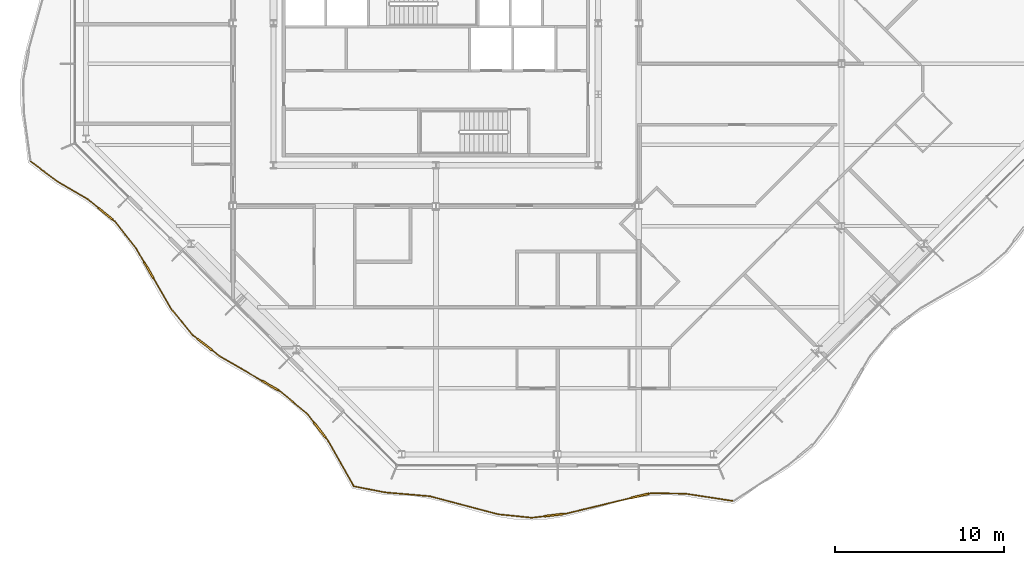
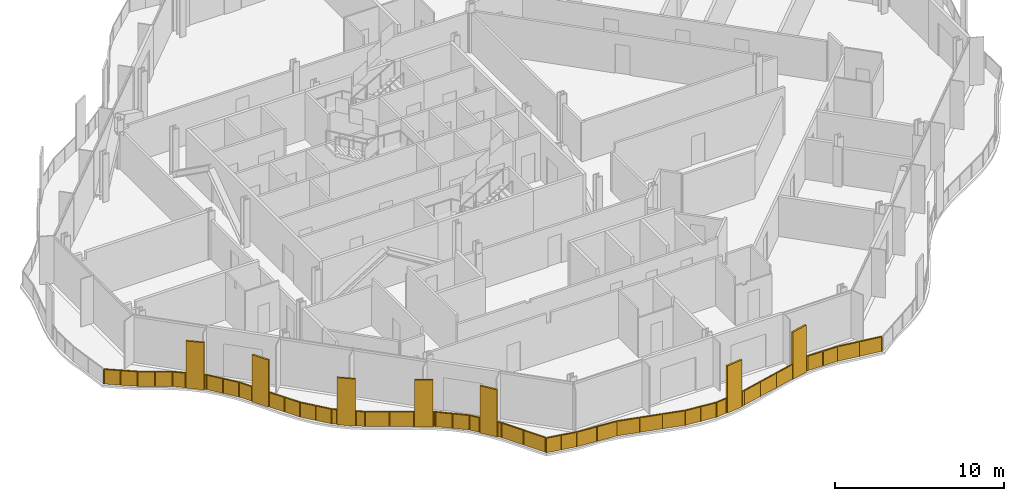
# One storey, part 13 of 17: 2 railings.
"""IFC4 building model written with IfcOpenShell, lengths in metres."""

import ifcopenshell
import ifcopenshell.guid

model = None  # the IFC model being written
_history = None  # IfcOwnerHistory: only IFC2X3 demands one
_inside = {}  # id of a spatial element -> (the spatial element, [elements in it])
_under = {}  # id of a project, library or spatial element -> (it, [spatial elements below it])
_declared = {}  # id of a project -> (the project, [libraries it declares])
_typed = {}  # id of a type object -> (the type object, [elements of that type])
_made_of = {}  # id of a material, layer set ... -> (it, [elements and type objects made of it])


def new_model(schema):
    """Start an empty IFC model of exactly this schema.

    Asked for "IFC4X3", IfcOpenShell would pick the latest addendum, in which some entities
    have other attributes; the version numbers below select the first issue.
    IFC2X3 requires an IfcOwnerHistory on every rooted entity: one is made here for all.
    """
    global model, _history
    if schema == "IFC4X3":
        model = ifcopenshell.file(schema_version=(4, 3, 0, 0))
    else:
        model = ifcopenshell.file(schema=schema)
    _inside.clear()
    _under.clear()
    _declared.clear()
    _typed.clear()
    _made_of.clear()
    _history = None
    if model.schema == "IFC2X3":
        org = make("IfcOrganization", Name="unknown")
        user = make(
            "IfcPersonAndOrganization",
            ThePerson=make("IfcPerson", FamilyName="unknown"),
            TheOrganization=org,
        )
        app = make(
            "IfcApplication",
            ApplicationDeveloper=org,
            Version="unknown",
            ApplicationFullName="unknown",
            ApplicationIdentifier="unknown",
        )
        _history = make(
            "IfcOwnerHistory",
            OwningUser=user,
            OwningApplication=app,
            ChangeAction="ADDED",
            CreationDate=0,
        )
    return model


def make(cls, **values):
    """One entity of the class cls with the attributes given. An attribute that is None is left unset."""
    return model.create_entity(
        cls, **{name: value for name, value in values.items() if value is not None}
    )


def rooted(cls, **values):
    """An entity with a GlobalId (a new one), such as an element, a storey or a relation."""
    return make(cls, GlobalId=ifcopenshell.guid.new(), OwnerHistory=_history, **values)


def si_unit(unit_type, name, prefix=None):
    """IfcSIUnit, for example si_unit("LENGTHUNIT", "METRE", prefix="MILLI")."""
    return make("IfcSIUnit", UnitType=unit_type, Prefix=prefix, Name=name)


def assignment(units):
    """IfcUnitAssignment: the units of a project."""
    return None if units is None else make("IfcUnitAssignment", Units=units)


def point(xyz):
    """IfcCartesianPoint."""
    return None if xyz is None else make("IfcCartesianPoint", Coordinates=xyz)


def direction(xyz):
    """IfcDirection."""
    return None if xyz is None else make("IfcDirection", DirectionRatios=xyz)


def frame(location, z_axis=None, x_axis=None):
    """IfcAxis2Placement3D, a coordinate frame: its origin and axes. An axis left out is left unset."""
    return make(
        "IfcAxis2Placement3D",
        Location=point(location),
        Axis=direction(z_axis),
        RefDirection=direction(x_axis),
    )


def frame_2d(location, x_axis=None):
    """IfcAxis2Placement2D, a coordinate frame in the plane: its origin and x axis."""
    return make(
        "IfcAxis2Placement2D", Location=point(location), RefDirection=direction(x_axis)
    )


def origin():
    """The frame at (0, 0, 0) with its axes left unset."""
    return frame((0.0, 0.0, 0.0))


def origin_2d():
    """The frame at (0, 0) in the plane with its x axis left unset."""
    return frame_2d((0.0, 0.0))


def place(relative_to, where):
    """IfcLocalPlacement: puts the frame where relative to a parent placement (None: the world)."""
    return make(
        "IfcLocalPlacement", PlacementRelTo=relative_to, RelativePlacement=where
    )


def context(
    kind, dimensions, precision=None, world=None, true_north=None, identifier=None
):
    """IfcGeometricRepresentationContext, for example the 3D "Model" context."""
    return make(
        "IfcGeometricRepresentationContext",
        ContextIdentifier=identifier,
        ContextType=kind,
        CoordinateSpaceDimension=dimensions,
        Precision=precision,
        WorldCoordinateSystem=world,
        TrueNorth=true_north,
    )


def subcontext(parent, identifier, kind, view, scale=None):
    """IfcGeometricRepresentationSubContext, for example "Body" below "Model"."""
    return make(
        "IfcGeometricRepresentationSubContext",
        ContextIdentifier=identifier,
        ContextType=kind,
        ParentContext=parent,
        TargetScale=scale,
        TargetView=view,
    )


def project(units=None, contexts=None):
    """IfcProject with its units and contexts."""
    return rooted(
        "IfcProject",
        Name="project",
        RepresentationContexts=contexts,
        UnitsInContext=assignment(units),
    )


def spatial(cls, under=None, at=None, **own):
    """A site, building, storey or space (cls), placed at a placement, below another one or the project."""
    s = rooted(cls, ObjectPlacement=at, **own)
    if under is not None:
        _under.setdefault(under.id(), (under, []))[1].append(s)
    return s


def polyline(points):
    """IfcPolyline through the points."""
    return make("IfcPolyline", Points=[point(p) for p in points])


def profile(cls, at=None, kind="AREA", **sizes):
    """A parametric profile (cls). Its sizes go by their IFC names, for example OverallWidth=200.0."""
    return make(cls, ProfileType=kind, Position=at, **sizes)


def rectangle(**sizes):
    """IfcRectangleProfileDef."""
    return profile("IfcRectangleProfileDef", **sizes)


def outline(outer, holes=None, kind="AREA"):
    """IfcArbitraryClosedProfileDef: a profile drawn as a closed curve; with holes, ...WithVoids."""
    if holes is None:
        return make("IfcArbitraryClosedProfileDef", ProfileType=kind, OuterCurve=outer)
    return make(
        "IfcArbitraryProfileDefWithVoids",
        ProfileType=kind,
        OuterCurve=outer,
        InnerCurves=holes,
    )


def extrude(swept, where, along, depth):
    """IfcExtrudedAreaSolid: the profile swept, set in the frame where, extruded along a direction by depth."""
    return make(
        "IfcExtrudedAreaSolid",
        SweptArea=swept,
        Position=where,
        ExtrudedDirection=direction(along),
        Depth=depth,
    )


def shape(context_of_items, identifier, shape_type, items):
    """IfcShapeRepresentation: the items that make up one representation, for example the "Body"."""
    return make(
        "IfcShapeRepresentation",
        ContextOfItems=context_of_items,
        RepresentationIdentifier=identifier,
        RepresentationType=shape_type,
        Items=items,
    )


def material(Name=None, Category=None):
    """IfcMaterial."""
    return make("IfcMaterial", Name=Name, Category=Category)


def made_of(thing, what):
    """Note that an element or type object is made of a material, layer set ...; save() writes the relation."""
    if what is not None:
        _made_of.setdefault(what.id(), (what, []))[1].append(thing)
    return thing


def type_object(cls, material=None, **own):
    """A type object (cls), such as IfcWallType, which elements share."""
    return made_of(rooted(cls, **own), material)


def element(
    cls,
    number,
    at=None,
    inside=None,
    cuts=None,
    type_object=None,
    material=None,
    context=None,
    identifier="Body",
    shape_type=None,
    held_by="IfcProductDefinitionShape",
    body=None,
    shapes=None,
    **own,
):
    """One element of the class cls, such as IfcWall. Its Tag is "e" and its number.

    at: its placement. inside: the storey or other place that contains it. cuts: it is an
    opening in that element (IfcRelVoidsElement). A single representation is given by context,
    identifier, shape_type and body (its items); several are given by shapes. held_by: the class
    of the entity that holds the representations. save() writes the other relations.
    """
    e = rooted(cls, Tag="e%d" % number, ObjectPlacement=at, **own)
    if body is not None:
        shapes = [shape(context, identifier, shape_type, body)]
    if shapes is not None:
        e.Representation = make(held_by, Representations=shapes)
    if inside is not None:
        _inside.setdefault(inside.id(), (inside, []))[1].append(e)
    if cuts is not None:
        rooted(
            "IfcRelVoidsElement", RelatingBuildingElement=cuts, RelatedOpeningElement=e
        )
    if type_object is not None:
        _typed.setdefault(type_object.id(), (type_object, []))[1].append(e)
    return made_of(e, material)


def aggregate(whole, parts):
    """IfcRelAggregates: a whole, such as a stair, and the parts it consists of."""
    return rooted("IfcRelAggregates", RelatingObject=whole, RelatedObjects=parts)


def save(model, path):
    """Write the relations noted so far, then the file.

    IfcRelAggregates (storeys below a building ...), IfcRelContainedInSpatialStructure (elements
    in a storey), IfcRelDefinesByType, IfcRelAssociatesMaterial and IfcRelDeclares: one each for
    every whole, place, type object, material and project.
    """
    for whole, parts in _under.values():
        aggregate(whole, parts)
    for where, things in _inside.values():
        rooted(
            "IfcRelContainedInSpatialStructure",
            RelatedElements=things,
            RelatingStructure=where,
        )
    for kind, things in _typed.values():
        rooted("IfcRelDefinesByType", RelatedObjects=things, RelatingType=kind)
    for what, things in _made_of.values():
        rooted("IfcRelAssociatesMaterial", RelatedObjects=things, RelatingMaterial=what)
    for by, libraries in _declared.values():
        rooted("IfcRelDeclares", RelatingContext=by, RelatedDefinitions=libraries)
    model.write(path)


model = new_model("IFC4")

# Units and contexts
model_context = context("Model", 3, precision=1e-05, world=origin(), true_north=direction((0.0, 1.0)))
body_context = subcontext(model_context, "Body", "Model", "MODEL_VIEW")
ifc_project = project(units=[si_unit("LENGTHUNIT", "METRE"), si_unit("AREAUNIT", "SQUARE_METRE"), si_unit("VOLUMEUNIT", "CUBIC_METRE"), si_unit("PLANEANGLEUNIT", "RADIAN"), si_unit("MASSUNIT", "GRAM", prefix="KILO")], contexts=[model_context])

# Site, building, storey
site_placement = place(None, origin())
site = spatial("IfcSite", under=ifc_project, at=site_placement, CompositionType="ELEMENT")
building_placement = place(site_placement, origin())
building = spatial("IfcBuilding", under=site, at=building_placement, Name="Cairn Pilgrim Tower", CompositionType="ELEMENT")
storey_placement = place(building_placement, frame((0.0, 0.0, 214.199951171875)))
storey = spatial("IfcBuildingStorey", under=building, at=storey_placement, Name="L54", CompositionType="ELEMENT", Elevation=214.199951171875)

# Railings
ifc_material = material(Name="Bronze anodised aluminium rail, posts and fin screens with laminated glass infill", Category="aluminium")
railing_type = type_object("IfcRailingType", Name="BALCONY GUARD WITH FIN SCREENS", PredefinedType="GUARDRAIL", material=ifc_material)
railing_1_placement = place(storey_placement, frame((-16.78076171875, -5.761962890625, 0.0)))
element("IfcRailing", 1, at=railing_1_placement, inside=storey, type_object=railing_type, Name="Balcony guard BGF-7 with fin screens", PredefinedType="GUARDRAIL", context=body_context, shape_type="SweptSolid", body=[
    extrude(rectangle(XDim=0.050048828125, YDim=0.050048828125, at=origin_2d()), frame((0.0, 0.0, 1.0751953125), z_axis=(0.799134447809, -0.6011523387, 0.0), x_axis=(0.6011523387, 0.799134447809, 0.0)), (0.0, 0.0, 1.0), 1.9990234375),
    extrude(rectangle(XDim=0.050048828125, YDim=0.050048828125, at=origin_2d()), frame((1.597412109375, -1.20166015625, 1.0751953125), z_axis=(0.863242556181, -0.504789351312, 0.0), x_axis=(0.504789351312, 0.863242556181, 0.0)), (0.0, 0.0, 1.0), 2.08203125),
    extrude(rectangle(XDim=1.10009765625, YDim=0.110107421875, at=origin_2d()), frame((4.440673828125, -3.106201171875, 0.0), z_axis=(0.0, 0.0, 1.0), x_axis=(0.774731445525, -0.632290429561, 0.0)), (0.0, 0.0, 1.0), 3.39990234375),
    extrude(rectangle(XDim=0.050048828125, YDim=0.050048828125, at=origin_2d()), frame((3.394775390625, -2.252685546875, 1.0751953125), z_axis=(0.774731445525, -0.632290429561, 0.0), x_axis=(0.632290429561, 0.774731445525, 0.0)), (0.0, 0.0, 1.0), 0.800048828125),
    extrude(rectangle(XDim=0.050048828125, YDim=0.050048828125, at=origin_2d()), frame((4.86669921875, -3.4541015625, 1.0751953125), z_axis=(0.774731445525, -0.632290429561, 0.0), x_axis=(0.632290429561, 0.774731445525, 0.0)), (0.0, 0.0, 1.0), 0.14990234375),
    extrude(rectangle(XDim=0.050048828125, YDim=0.050048828125, at=origin_2d()), frame((4.98291015625, -3.548828125, 1.0751953125), z_axis=(0.618336173495, -0.785913720803, 0.0), x_axis=(0.785913720803, 0.618336173495, 0.0)), (0.0, 0.0, 1.0), 2.052734375),
    extrude(rectangle(XDim=1.10009765625, YDim=0.110107421875, at=origin_2d()), frame((6.995849609375, -6.440673828125, 0.0), z_axis=(0.0, 0.0, 1.0), x_axis=(0.502699013379, -0.864461509813, 0.0)), (0.0, 0.0, 1.0), 3.39990234375),
    extrude(rectangle(XDim=0.050048828125, YDim=0.050048828125, at=origin_2d()), frame((6.252197265625, -5.162109375, 1.0751953125), z_axis=(0.502699013379, -0.864461509813, 0.0), x_axis=(0.864461509813, 0.502699013379, 0.0)), (0.0, 0.0, 1.0), 0.92919921875),
    extrude(rectangle(XDim=0.050048828125, YDim=0.050048828125, at=origin_2d()), frame((7.272216796875, -6.916259765625, 1.0751953125), z_axis=(0.502699013379, -0.864461509813, 0.0), x_axis=(0.864461509813, 0.502699013379, 0.0)), (0.0, 0.0, 1.0), 2.130126953125),
    extrude(rectangle(XDim=0.050048828125, YDim=0.050048828125, at=origin_2d()), frame((8.343017578125, -8.757568359375, 1.0751953125), z_axis=(0.635943490988, -0.771735625891, 0.0), x_axis=(0.771735625891, 0.635943490988, 0.0)), (0.0, 0.0, 1.0), 1.9921875),
    extrude(rectangle(XDim=1.10009765625, YDim=0.110107421875, at=origin_2d()), frame((10.305908203125, -10.83740234375, 0.0), z_axis=(0.0, 0.0, 1.0), x_axis=(0.788760323, -0.614700864536, 0.0)), (0.0, 0.0, 1.0), 3.39990234375),
    extrude(rectangle(XDim=0.050048828125, YDim=0.050048828125, at=origin_2d()), frame((9.60986328125, -10.294921875, 1.0751953125), z_axis=(0.788760323, -0.614700864536, 0.0), x_axis=(0.614700864536, 0.788760323, 0.0)), (0.0, 0.0, 1.0), 0.332275390625),
    extrude(rectangle(XDim=0.050048828125, YDim=0.050048828125, at=origin_2d()), frame((10.73974609375, -11.17529296875, 1.0751953125), z_axis=(0.788760323, -0.614700864536, 0.0), x_axis=(0.614700864536, 0.788760323, 0.0)), (0.0, 0.0, 1.0), 0.56787109375),
    extrude(rectangle(XDim=1.10009765625, YDim=0.110107421875, at=origin_2d()), frame((14.180908203125, -13.26611328125, 0.0), z_axis=(0.0, 0.0, 1.0), x_axis=(0.864333506502, -0.502919068577, 0.0)), (0.0, 0.0, 1.0), 3.39990234375),
    extrude(rectangle(XDim=0.050048828125, YDim=0.050048828125, at=origin_2d()), frame((11.1875, -11.5244140625, 1.0751953125), z_axis=(0.864333506502, -0.502919068577, 0.0), x_axis=(0.502919068577, 0.864333506502, 0.0)), (0.0, 0.0, 1.0), 2.9130859375),
    extrude(rectangle(XDim=0.050048828125, YDim=0.050048828125, at=origin_2d()), frame((14.65625, -13.542724609375, 1.0751953125), z_axis=(0.864333506502, -0.502919068577, 0.0), x_axis=(0.502919068577, 0.864333506502, 0.0)), (0.0, 0.0, 1.0), 0.14990234375),
    extrude(rectangle(XDim=0.050048828125, YDim=0.050048828125, at=origin_2d()), frame((14.785888671875, -13.6181640625, 1.0751953125), z_axis=(0.768738716006, -0.639562965246, 0.0), x_axis=(0.639562965246, 0.768738716006, 0.0)), (0.0, 0.0, 1.0), 2.048828125),
    extrude(rectangle(XDim=1.10009765625, YDim=0.110107421875, at=origin_2d()), frame((17.10693359375, -15.89501953125, 0.0), z_axis=(0.0, 0.0, 1.0), x_axis=(0.61109919183, -0.791554027054, 0.0)), (0.0, 0.0, 1.0), 3.39990234375),
    extrude(rectangle(XDim=0.050048828125, YDim=0.050048828125, at=origin_2d()), frame((16.36083984375, -14.928466796875, 1.0751953125), z_axis=(0.61109919183, -0.791554027054, 0.0), x_axis=(0.791554027054, 0.61109919183, 0.0)), (0.0, 0.0, 1.0), 0.6708984375),
    extrude(rectangle(XDim=0.050048828125, YDim=0.050048828125, at=origin_2d()), frame((17.443115234375, -16.330322265625, 1.0751953125), z_axis=(0.61109919183, -0.791554027054, 0.0), x_axis=(0.791554027054, 0.61109919183, 0.0)), (0.0, 0.0, 1.0), 0.2841796875),
    extrude(rectangle(XDim=0.050048828125, YDim=0.050048828125, at=origin_2d()), frame((17.61669921875, -16.55517578125, 1.0751953125), z_axis=(0.493744728642, -0.869606889887, 0.0), x_axis=(0.869606889887, 0.493744728642, 0.0)), (0.0, 0.0, 1.0), 3.01123046875),
    extrude(rectangle(XDim=0.050048828125, YDim=0.050048828125, at=origin_2d()), origin(), (0.0, 0.0, 1.0), 1.050048828125),
    extrude(rectangle(XDim=0.050048828125, YDim=0.050048828125, at=origin_2d()), frame((0.798828125, -0.600830078125, 0.0)), (0.0, 0.0, 1.0), 1.050048828125),
    extrude(rectangle(XDim=0.050048828125, YDim=0.050048828125, at=origin_2d()), frame((1.597412109375, -1.20166015625, 0.0)), (0.0, 0.0, 1.0), 1.050048828125),
    extrude(rectangle(XDim=0.050048828125, YDim=0.050048828125, at=origin_2d()), frame((2.49609375, -1.72705078125, 0.0)), (0.0, 0.0, 1.0), 1.050048828125),
    extrude(rectangle(XDim=0.050048828125, YDim=0.050048828125, at=origin_2d()), frame((3.394775390625, -2.252685546875, 0.0)), (0.0, 0.0, 1.0), 1.050048828125),
    extrude(rectangle(XDim=0.050048828125, YDim=0.050048828125, at=origin_2d()), frame((3.9951171875, -2.74267578125, 0.0)), (0.0, 0.0, 1.0), 1.050048828125),
    extrude(rectangle(XDim=0.050048828125, YDim=0.050048828125, at=origin_2d()), frame((4.88623046875, -3.469970703125, 0.0)), (0.0, 0.0, 1.0), 1.050048828125),
    extrude(rectangle(XDim=0.050048828125, YDim=0.050048828125, at=origin_2d()), frame((4.98291015625, -3.548828125, 0.0)), (0.0, 0.0, 1.0), 1.050048828125),
    extrude(rectangle(XDim=0.050048828125, YDim=0.050048828125, at=origin_2d()), frame((5.61767578125, -4.35546875, 0.0)), (0.0, 0.0, 1.0), 1.050048828125),
    extrude(rectangle(XDim=0.050048828125, YDim=0.050048828125, at=origin_2d()), frame((6.252197265625, -5.162109375, 0.0)), (0.0, 0.0, 1.0), 1.050048828125),
    extrude(rectangle(XDim=0.050048828125, YDim=0.050048828125, at=origin_2d()), frame((6.706787109375, -5.943603515625, 0.0)), (0.0, 0.0, 1.0), 1.050048828125),
    extrude(rectangle(XDim=0.050048828125, YDim=0.050048828125, at=origin_2d()), frame((7.284912109375, -6.937744140625, 0.0)), (0.0, 0.0, 1.0), 1.050048828125),
    extrude(rectangle(XDim=0.050048828125, YDim=0.050048828125, at=origin_2d()), frame((7.81396484375, -7.84765625, 0.0)), (0.0, 0.0, 1.0), 1.050048828125),
    extrude(rectangle(XDim=0.050048828125, YDim=0.050048828125, at=origin_2d()), frame((8.343017578125, -8.757568359375, 0.0)), (0.0, 0.0, 1.0), 1.050048828125),
    extrude(rectangle(XDim=0.050048828125, YDim=0.050048828125, at=origin_2d()), frame((8.9765625, -9.5263671875, 0.0)), (0.0, 0.0, 1.0), 1.050048828125),
    extrude(rectangle(XDim=0.050048828125, YDim=0.050048828125, at=origin_2d()), frame((9.60986328125, -10.294921875, 0.0)), (0.0, 0.0, 1.0), 1.050048828125),
    extrude(rectangle(XDim=0.050048828125, YDim=0.050048828125, at=origin_2d()), frame((9.852294921875, -10.48388671875, 0.0)), (0.0, 0.0, 1.0), 1.050048828125),
    extrude(rectangle(XDim=0.050048828125, YDim=0.050048828125, at=origin_2d()), frame((10.75927734375, -11.190673828125, 0.0)), (0.0, 0.0, 1.0), 1.050048828125),
    extrude(rectangle(XDim=0.050048828125, YDim=0.050048828125, at=origin_2d()), frame((11.1875, -11.5244140625, 0.0)), (0.0, 0.0, 1.0), 1.050048828125),
    extrude(rectangle(XDim=0.050048828125, YDim=0.050048828125, at=origin_2d()), frame((12.435791015625, -12.250732421875, 0.0)), (0.0, 0.0, 1.0), 1.050048828125),
    extrude(rectangle(XDim=0.050048828125, YDim=0.050048828125, at=origin_2d()), frame((13.683837890625, -12.97705078125, 0.0)), (0.0, 0.0, 1.0), 1.050048828125),
    extrude(rectangle(XDim=0.050048828125, YDim=0.050048828125, at=origin_2d()), frame((14.677978515625, -13.555419921875, 0.0)), (0.0, 0.0, 1.0), 1.050048828125),
    extrude(rectangle(XDim=0.050048828125, YDim=0.050048828125, at=origin_2d()), frame((14.785888671875, -13.6181640625, 0.0)), (0.0, 0.0, 1.0), 1.050048828125),
    extrude(rectangle(XDim=0.050048828125, YDim=0.050048828125, at=origin_2d()), frame((15.5732421875, -14.2734375, 0.0)), (0.0, 0.0, 1.0), 1.050048828125),
    extrude(rectangle(XDim=0.050048828125, YDim=0.050048828125, at=origin_2d()), frame((16.36083984375, -14.928466796875, 0.0)), (0.0, 0.0, 1.0), 1.050048828125),
    extrude(rectangle(XDim=0.050048828125, YDim=0.050048828125, at=origin_2d()), frame((16.755615234375, -15.439697265625, 0.0)), (0.0, 0.0, 1.0), 1.050048828125),
    extrude(rectangle(XDim=0.050048828125, YDim=0.050048828125, at=origin_2d()), frame((17.458251953125, -16.35009765625, 0.0)), (0.0, 0.0, 1.0), 1.050048828125),
    extrude(rectangle(XDim=0.050048828125, YDim=0.050048828125, at=origin_2d()), frame((17.61669921875, -16.55517578125, 0.0)), (0.0, 0.0, 1.0), 1.050048828125),
    extrude(rectangle(XDim=0.050048828125, YDim=0.050048828125, at=origin_2d()), frame((18.360107421875, -17.864501953125, 0.0)), (0.0, 0.0, 1.0), 1.050048828125),
    extrude(rectangle(XDim=0.050048828125, YDim=0.050048828125, at=origin_2d()), frame((19.103515625, -19.173828125, 0.0)), (0.0, 0.0, 1.0), 1.050048828125),
    extrude(outline(polyline([(0.02490234375, 0.0), (0.974365234375, 0.0), (0.974365234375, 1.050048828125), (0.02490234375, 1.050048828125), (0.02490234375, 0.0)])), frame((0.003662109375, 0.0048828125, 0.0), z_axis=(-0.6011523387, -0.799134447809, 0.0), x_axis=(0.799134447809, -0.6011523387, 0.0)), (0.0, 0.0, 1.0), 0.011962890625),
    extrude(outline(polyline([(0.02490234375, 0.0), (0.974365234375, 0.0), (0.974365234375, 1.050048828125), (0.02490234375, 1.050048828125), (0.02490234375, 0.0)])), frame((0.80224609375, -0.595947265625, 0.0), z_axis=(-0.6011523387, -0.799134447809, 0.0), x_axis=(0.799134447809, -0.6011523387, 0.0)), (0.0, 0.0, 1.0), 0.011962890625),
    extrude(outline(polyline([(0.02490234375, 0.0), (1.01611328125, 0.0), (1.01611328125, 1.050048828125), (0.02490234375, 1.050048828125), (0.02490234375, 0.0)])), frame((1.600341796875, -1.196533203125, 0.0), z_axis=(-0.504789351312, -0.863242556181, 0.0), x_axis=(0.863242556181, -0.504789351312, 0.0)), (0.0, 0.0, 1.0), 0.011962890625),
    extrude(outline(polyline([(0.02490234375, 0.0), (1.01611328125, 0.0), (1.01611328125, 1.050048828125), (0.02490234375, 1.050048828125), (0.02490234375, 0.0)])), frame((2.4990234375, -1.721923828125, 0.0), z_axis=(-0.504789351312, -0.863242556181, 0.0), x_axis=(0.863242556181, -0.504789351312, 0.0)), (0.0, 0.0, 1.0), 0.011962890625),
    extrude(outline(polyline([(0.02490234375, 0.0), (0.75, 0.0), (0.75, 1.050048828125), (0.02490234375, 1.050048828125), (0.02490234375, 0.0)])), frame((3.3984375, -2.248046875, 0.0), z_axis=(-0.632290429561, -0.774731445525, 0.0), x_axis=(0.774731445525, -0.632290429561, 0.0)), (0.0, 0.0, 1.0), 0.011962890625),
    extrude(outline(polyline([(0.02490234375, 0.0), (0.099853515625, 0.0), (0.099853515625, 1.050048828125), (0.02490234375, 1.050048828125), (0.02490234375, 0.0)])), frame((4.889892578125, -3.46533203125, 0.0), z_axis=(-0.632290429561, -0.774731445525, 0.0), x_axis=(0.774731445525, -0.632290429561, 0.0)), (0.0, 0.0, 1.0), 0.011962890625),
    extrude(outline(polyline([(0.02490234375, 0.0), (1.00146484375, 0.0), (1.00146484375, 1.050048828125), (0.02490234375, 1.050048828125), (0.02490234375, 0.0)])), frame((4.987548828125, -3.545166015625, 0.0), z_axis=(-0.785913720803, -0.618336173495, 0.0), x_axis=(0.618336173495, -0.785913720803, 0.0)), (0.0, 0.0, 1.0), 0.011962890625),
    extrude(outline(polyline([(0.02490234375, 0.0), (1.00146484375, 0.0), (1.00146484375, 1.050048828125), (0.02490234375, 1.050048828125), (0.02490234375, 0.0)])), frame((5.622314453125, -4.351806640625, 0.0), z_axis=(-0.785913720803, -0.618336173495, 0.0), x_axis=(0.618336173495, -0.785913720803, 0.0)), (0.0, 0.0, 1.0), 0.011962890625),
    extrude(outline(polyline([(0.02490234375, 0.0), (0.879150390625, 0.0), (0.879150390625, 1.050048828125), (0.02490234375, 1.050048828125), (0.02490234375, 0.0)])), frame((6.25732421875, -5.1591796875, 0.0), z_axis=(-0.864461509813, -0.502699013379, 0.0), x_axis=(0.502699013379, -0.864461509813, 0.0)), (0.0, 0.0, 1.0), 0.011962890625),
    extrude(outline(polyline([(0.02490234375, 0.0), (1.027587890625, 0.0), (1.027587890625, 1.050048828125), (0.02490234375, 1.050048828125), (0.02490234375, 0.0)])), frame((7.2900390625, -6.934814453125, 0.0), z_axis=(-0.864461509813, -0.502699013379, 0.0), x_axis=(0.502699013379, -0.864461509813, 0.0)), (0.0, 0.0, 1.0), 0.011962890625),
    extrude(outline(polyline([(0.02490234375, 0.0), (1.027587890625, 0.0), (1.027587890625, 1.050048828125), (0.02490234375, 1.050048828125), (0.02490234375, 0.0)])), frame((7.819091796875, -7.8447265625, 0.0), z_axis=(-0.864461509813, -0.502699013379, 0.0), x_axis=(0.502699013379, -0.864461509813, 0.0)), (0.0, 0.0, 1.0), 0.011962890625),
    extrude(outline(polyline([(0.02490234375, 0.0), (0.970947265625, 0.0), (0.970947265625, 1.050048828125), (0.02490234375, 1.050048828125), (0.02490234375, 0.0)])), frame((8.34765625, -8.753662109375, 0.0), z_axis=(-0.771735625891, -0.635943490988, 0.0), x_axis=(0.635943490988, -0.771735625891, 0.0)), (0.0, 0.0, 1.0), 0.011962890625),
    extrude(outline(polyline([(0.02490234375, 0.0), (0.970947265625, 0.0), (0.970947265625, 1.050048828125), (0.02490234375, 1.050048828125), (0.02490234375, 0.0)])), frame((8.98095703125, -9.5224609375, 0.0), z_axis=(-0.771735625891, -0.635943490988, 0.0), x_axis=(0.635943490988, -0.771735625891, 0.0)), (0.0, 0.0, 1.0), 0.011962890625),
    extrude(outline(polyline([(0.02490234375, 0.0), (0.2822265625, 0.0), (0.2822265625, 1.050048828125), (0.02490234375, 1.050048828125), (0.02490234375, 0.0)])), frame((9.613525390625, -10.290283203125, 0.0), z_axis=(-0.614700864536, -0.788760323, 0.0), x_axis=(0.788760323, -0.614700864536, 0.0)), (0.0, 0.0, 1.0), 0.011962890625),
    extrude(outline(polyline([(0.02490234375, 0.0), (0.517822265625, 0.0), (0.517822265625, 1.050048828125), (0.02490234375, 1.050048828125), (0.02490234375, 0.0)])), frame((10.762939453125, -11.18603515625, 0.0), z_axis=(-0.614700864536, -0.788760323, 0.0), x_axis=(0.788760323, -0.614700864536, 0.0)), (0.0, 0.0, 1.0), 0.011962890625),
    extrude(outline(polyline([(0.02490234375, 0.0), (1.4189453125, 0.0), (1.4189453125, 1.050048828125), (0.02490234375, 1.050048828125), (0.02490234375, 0.0)])), frame((11.1904296875, -11.519287109375, 0.0), z_axis=(-0.502919068577, -0.864333506502, 0.0), x_axis=(0.864333506502, -0.502919068577, 0.0)), (0.0, 0.0, 1.0), 0.011962890625),
    extrude(outline(polyline([(0.02490234375, 0.0), (1.4189453125, 0.0), (1.4189453125, 1.050048828125), (0.02490234375, 1.050048828125), (0.02490234375, 0.0)])), frame((12.438720703125, -12.24560546875, 0.0), z_axis=(-0.502919068577, -0.864333506502, 0.0), x_axis=(0.864333506502, -0.502919068577, 0.0)), (0.0, 0.0, 1.0), 0.011962890625),
    extrude(outline(polyline([(0.02490234375, 0.0), (0.099853515625, 0.0), (0.099853515625, 1.050048828125), (0.02490234375, 1.050048828125), (0.02490234375, 0.0)])), frame((14.680908203125, -13.550048828125, 0.0), z_axis=(-0.502919068577, -0.864333506502, 0.0), x_axis=(0.864333506502, -0.502919068577, 0.0)), (0.0, 0.0, 1.0), 0.011962890625),
    extrude(outline(polyline([(0.02490234375, 0.0), (0.999267578125, 0.0), (0.999267578125, 1.050048828125), (0.02490234375, 1.050048828125), (0.02490234375, 0.0)])), frame((14.789794921875, -13.613525390625, 0.0), z_axis=(-0.639562965246, -0.768738716006, 0.0), x_axis=(0.768738716006, -0.639562965246, 0.0)), (0.0, 0.0, 1.0), 0.011962890625),
    extrude(outline(polyline([(0.02490234375, 0.0), (0.999267578125, 0.0), (0.999267578125, 1.050048828125), (0.02490234375, 1.050048828125), (0.02490234375, 0.0)])), frame((15.5771484375, -14.268798828125, 0.0), z_axis=(-0.639562965246, -0.768738716006, 0.0), x_axis=(0.768738716006, -0.639562965246, 0.0)), (0.0, 0.0, 1.0), 0.011962890625),
    extrude(outline(polyline([(0.02490234375, 0.0), (0.620849609375, 0.0), (0.620849609375, 1.050048828125), (0.02490234375, 1.050048828125), (0.02490234375, 0.0)])), frame((16.365478515625, -14.9248046875, 0.0), z_axis=(-0.791554027054, -0.61109919183, 0.0), x_axis=(0.61109919183, -0.791554027054, 0.0)), (0.0, 0.0, 1.0), 0.011962890625),
    extrude(outline(polyline([(0.02490234375, 0.0), (0.234130859375, 0.0), (0.234130859375, 1.050048828125), (0.02490234375, 1.050048828125), (0.02490234375, 0.0)])), frame((17.463134765625, -16.346435546875, 0.0), z_axis=(-0.791554027054, -0.61109919183, 0.0), x_axis=(0.61109919183, -0.791554027054, 0.0)), (0.0, 0.0, 1.0), 0.011962890625),
    extrude(outline(polyline([(0.02490234375, 0.0), (1.480712890625, 0.0), (1.480712890625, 1.050048828125), (0.02490234375, 1.050048828125), (0.02490234375, 0.0)])), frame((17.621826171875, -16.55224609375, 0.0), z_axis=(-0.869606889887, -0.493744728642, 0.0), x_axis=(0.493744728642, -0.869606889887, 0.0)), (0.0, 0.0, 1.0), 0.011962890625),
    extrude(outline(polyline([(0.02490234375, 0.0), (1.480712890625, 0.0), (1.480712890625, 1.050048828125), (0.02490234375, 1.050048828125), (0.02490234375, 0.0)])), frame((18.365234375, -17.861572265625, 0.0), z_axis=(-0.869606889887, -0.493744728642, 0.0), x_axis=(0.493744728642, -0.869606889887, 0.0)), (0.0, 0.0, 1.0), 0.011962890625),
])
railing_2_placement = place(storey_placement, frame((2.3525390625, -24.98779296875, 0.0)))
element("IfcRailing", 2, at=railing_2_placement, inside=storey, type_object=railing_type, Name="Balcony guard BGF-8 with fin screens", PredefinedType="GUARDRAIL", context=body_context, shape_type="SweptSolid", body=[
    extrude(rectangle(XDim=0.050048828125, YDim=0.050048828125, at=origin_2d()), frame((0.0, 0.0, 1.0751953125), z_axis=(0.981174719631, -0.193122162264, 0.0), x_axis=(0.193122162264, 0.981174719631, 0.0)), (0.0, 0.0, 1.0), 1.88232421875),
    extrude(rectangle(XDim=0.050048828125, YDim=0.050048828125, at=origin_2d()), frame((1.846923828125, -0.363525390625, 1.0751953125), z_axis=(0.996427518522, -0.084452355393, 0.0), x_axis=(0.084452355393, 0.996427518522, 0.0)), (0.0, 0.0, 1.0), 2.65673828125),
    extrude(rectangle(XDim=0.050048828125, YDim=0.050048828125, at=origin_2d()), frame((4.494140625, -0.587890625, 1.0751953125), z_axis=(0.966749381414, -0.255725699793, 0.0), x_axis=(0.255725699793, 0.966749381414, 0.0)), (0.0, 0.0, 1.0), 4.1826171875),
    extrude(rectangle(XDim=0.050048828125, YDim=0.050048828125, at=origin_2d()), frame((8.53759765625, -1.657470703125, 1.0751953125), z_axis=(0.99483238393, -0.10153092083, 0.0), x_axis=(0.10153092083, 0.99483238393, 0.0)), (0.0, 0.0, 1.0), 2.0029296875),
    extrude(rectangle(XDim=1.10009765625, YDim=0.110107421875, at=origin_2d()), frame((11.831298828125, -1.705322265625, 0.0), z_axis=(0.0, 0.0, 1.0), x_axis=(0.992934196082, 0.118666264168, 0.0)), (0.0, 0.0, 1.0), 3.39990234375),
    extrude(rectangle(XDim=0.050048828125, YDim=0.050048828125, at=origin_2d()), frame((10.5302734375, -1.86083984375, 1.0751953125), z_axis=(0.992934196082, 0.118666264168, 0.0), x_axis=(-0.118666264168, 0.992934196082, 0.0)), (0.0, 0.0, 1.0), 0.76025390625),
    extrude(rectangle(XDim=0.050048828125, YDim=0.050048828125, at=origin_2d()), frame((12.377197265625, -1.64013671875, 1.0751953125), z_axis=(0.992934196082, 0.118666264168, 0.0), x_axis=(-0.118666264168, 0.992934196082, 0.0)), (0.0, 0.0, 1.0), 0.14990234375),
    extrude(rectangle(XDim=1.10009765625, YDim=0.110107421875, at=origin_2d()), frame((16.908447265625, -0.56640625, 0.0), z_axis=(0.0, 0.0, 1.0), x_axis=(0.972183518992, 0.234220420547, 0.0)), (0.0, 0.0, 1.0), 3.39990234375),
    extrude(rectangle(XDim=0.050048828125, YDim=0.050048828125, at=origin_2d()), frame((12.526123046875, -1.622314453125, 1.0751953125), z_axis=(0.972183518992, 0.234220420547, 0.0), x_axis=(-0.234220420547, 0.972183518992, 0.0)), (0.0, 0.0, 1.0), 3.957763671875),
    extrude(rectangle(XDim=0.050048828125, YDim=0.050048828125, at=origin_2d()), frame((17.443115234375, -0.437744140625, 1.0751953125), z_axis=(0.972183518992, 0.234220420547, 0.0), x_axis=(-0.234220420547, 0.972183518992, 0.0)), (0.0, 0.0, 1.0), 0.14990234375),
    extrude(rectangle(XDim=0.050048828125, YDim=0.050048828125, at=origin_2d()), frame((17.5888671875, -0.402587890625, 1.0751953125), z_axis=(0.999820860079, -0.018927433832, 0.0), x_axis=(0.018927433832, 0.999820860079, 0.0)), (0.0, 0.0, 1.0), 2.051025390625),
    extrude(rectangle(XDim=0.050048828125, YDim=0.050048828125, at=origin_2d()), frame((19.639404296875, -0.44140625, 1.0751953125), z_axis=(0.988389945301, -0.151938527138, 0.0), x_axis=(0.151938527138, 0.988389945301, 0.0)), (0.0, 0.0, 1.0), 2.782958984375),
    extrude(rectangle(XDim=0.050048828125, YDim=0.050048828125, at=origin_2d()), origin(), (0.0, 0.0, 1.0), 1.050048828125),
    extrude(rectangle(XDim=0.050048828125, YDim=0.050048828125, at=origin_2d()), frame((0.92333984375, -0.181640625, 0.0)), (0.0, 0.0, 1.0), 1.050048828125),
    extrude(rectangle(XDim=0.050048828125, YDim=0.050048828125, at=origin_2d()), frame((1.846923828125, -0.363525390625, 0.0)), (0.0, 0.0, 1.0), 1.050048828125),
    extrude(rectangle(XDim=0.050048828125, YDim=0.050048828125, at=origin_2d()), frame((3.17041015625, -0.4755859375, 0.0)), (0.0, 0.0, 1.0), 1.050048828125),
    extrude(rectangle(XDim=0.050048828125, YDim=0.050048828125, at=origin_2d()), frame((4.494140625, -0.587890625, 0.0)), (0.0, 0.0, 1.0), 1.050048828125),
    extrude(rectangle(XDim=0.050048828125, YDim=0.050048828125, at=origin_2d()), frame((5.842041015625, -0.9443359375, 0.0)), (0.0, 0.0, 1.0), 1.050048828125),
    extrude(rectangle(XDim=0.050048828125, YDim=0.050048828125, at=origin_2d()), frame((7.189697265625, -1.301025390625, 0.0)), (0.0, 0.0, 1.0), 1.050048828125),
    extrude(rectangle(XDim=0.050048828125, YDim=0.050048828125, at=origin_2d()), frame((8.53759765625, -1.657470703125, 0.0)), (0.0, 0.0, 1.0), 1.050048828125),
    extrude(rectangle(XDim=0.050048828125, YDim=0.050048828125, at=origin_2d()), frame((9.533935546875, -1.75927734375, 0.0)), (0.0, 0.0, 1.0), 1.050048828125),
    extrude(rectangle(XDim=0.050048828125, YDim=0.050048828125, at=origin_2d()), frame((10.5302734375, -1.86083984375, 0.0)), (0.0, 0.0, 1.0), 1.050048828125),
    extrude(rectangle(XDim=0.050048828125, YDim=0.050048828125, at=origin_2d()), frame((11.26025390625, -1.773681640625, 0.0)), (0.0, 0.0, 1.0), 1.050048828125),
    extrude(rectangle(XDim=0.050048828125, YDim=0.050048828125, at=origin_2d()), frame((12.402099609375, -1.63720703125, 0.0)), (0.0, 0.0, 1.0), 1.050048828125),
    extrude(rectangle(XDim=0.050048828125, YDim=0.050048828125, at=origin_2d()), frame((12.526123046875, -1.622314453125, 0.0)), (0.0, 0.0, 1.0), 1.050048828125),
    extrude(rectangle(XDim=0.050048828125, YDim=0.050048828125, at=origin_2d()), frame((13.800537109375, -1.315185546875, 0.0)), (0.0, 0.0, 1.0), 1.050048828125),
    extrude(rectangle(XDim=0.050048828125, YDim=0.050048828125, at=origin_2d()), frame((15.074951171875, -1.00830078125, 0.0)), (0.0, 0.0, 1.0), 1.050048828125),
    extrude(rectangle(XDim=0.050048828125, YDim=0.050048828125, at=origin_2d()), frame((16.349365234375, -0.701171875, 0.0)), (0.0, 0.0, 1.0), 1.050048828125),
    extrude(rectangle(XDim=0.050048828125, YDim=0.050048828125, at=origin_2d()), frame((17.467529296875, -0.431884765625, 0.0)), (0.0, 0.0, 1.0), 1.050048828125),
    extrude(rectangle(XDim=0.050048828125, YDim=0.050048828125, at=origin_2d()), frame((17.5888671875, -0.402587890625, 0.0)), (0.0, 0.0, 1.0), 1.050048828125),
    extrude(rectangle(XDim=0.050048828125, YDim=0.050048828125, at=origin_2d()), frame((18.6142578125, -0.421875, 0.0)), (0.0, 0.0, 1.0), 1.050048828125),
    extrude(rectangle(XDim=0.050048828125, YDim=0.050048828125, at=origin_2d()), frame((19.639404296875, -0.44140625, 0.0)), (0.0, 0.0, 1.0), 1.050048828125),
    extrude(rectangle(XDim=0.050048828125, YDim=0.050048828125, at=origin_2d()), frame((21.0146484375, -0.65283203125, 0.0)), (0.0, 0.0, 1.0), 1.050048828125),
    extrude(rectangle(XDim=0.050048828125, YDim=0.050048828125, at=origin_2d()), frame((22.39013671875, -0.8642578125, 0.0)), (0.0, 0.0, 1.0), 1.050048828125),
    extrude(outline(polyline([(0.02490234375, 0.0), (0.916259765625, 0.0), (0.916259765625, 1.050048828125), (0.02490234375, 1.050048828125), (0.02490234375, 0.0)])), frame((0.001220703125, 0.005859375, 0.0), z_axis=(-0.193122162264, -0.981174719631, 0.0), x_axis=(0.981174719631, -0.193122162264, 0.0)), (0.0, 0.0, 1.0), 0.011962890625),
    extrude(outline(polyline([(0.02490234375, 0.0), (0.916259765625, 0.0), (0.916259765625, 1.050048828125), (0.02490234375, 1.050048828125), (0.02490234375, 0.0)])), frame((0.924560546875, -0.17578125, 0.0), z_axis=(-0.193122162264, -0.981174719631, 0.0), x_axis=(0.981174719631, -0.193122162264, 0.0)), (0.0, 0.0, 1.0), 0.011962890625),
    extrude(outline(polyline([(0.02490234375, 0.0), (1.30322265625, 0.0), (1.30322265625, 1.050048828125), (0.02490234375, 1.050048828125), (0.02490234375, 0.0)])), frame((1.847412109375, -0.357666015625, 0.0), z_axis=(-0.084452355393, -0.996427518522, 0.0), x_axis=(0.996427518522, -0.084452355393, 0.0)), (0.0, 0.0, 1.0), 0.011962890625),
    extrude(outline(polyline([(0.02490234375, 0.0), (1.30322265625, 0.0), (1.30322265625, 1.050048828125), (0.02490234375, 1.050048828125), (0.02490234375, 0.0)])), frame((3.171142578125, -0.4697265625, 0.0), z_axis=(-0.084452355393, -0.996427518522, 0.0), x_axis=(0.996427518522, -0.084452355393, 0.0)), (0.0, 0.0, 1.0), 0.011962890625),
    extrude(outline(polyline([(0.02490234375, 0.0), (1.369140625, 0.0), (1.369140625, 1.050048828125), (0.02490234375, 1.050048828125), (0.02490234375, 0.0)])), frame((4.49560546875, -0.58203125, 0.0), z_axis=(-0.255725699793, -0.966749381414, 0.0), x_axis=(0.966749381414, -0.255725699793, 0.0)), (0.0, 0.0, 1.0), 0.011962890625),
    extrude(outline(polyline([(0.02490234375, 0.0), (1.369140625, 0.0), (1.369140625, 1.050048828125), (0.02490234375, 1.050048828125), (0.02490234375, 0.0)])), frame((5.843505859375, -0.938720703125, 0.0), z_axis=(-0.255725699793, -0.966749381414, 0.0), x_axis=(0.966749381414, -0.255725699793, 0.0)), (0.0, 0.0, 1.0), 0.011962890625),
    extrude(outline(polyline([(0.02490234375, 0.0), (1.369140625, 0.0), (1.369140625, 1.050048828125), (0.02490234375, 1.050048828125), (0.02490234375, 0.0)])), frame((7.19140625, -1.295166015625, 0.0), z_axis=(-0.255725699793, -0.966749381414, 0.0), x_axis=(0.966749381414, -0.255725699793, 0.0)), (0.0, 0.0, 1.0), 0.011962890625),
    extrude(outline(polyline([(0.02490234375, 0.0), (0.9765625, 0.0), (0.9765625, 1.050048828125), (0.02490234375, 1.050048828125), (0.02490234375, 0.0)])), frame((8.5380859375, -1.651611328125, 0.0), z_axis=(-0.10153092083, -0.99483238393, 0.0), x_axis=(0.99483238393, -0.10153092083, 0.0)), (0.0, 0.0, 1.0), 0.011962890625),
    extrude(outline(polyline([(0.02490234375, 0.0), (0.9765625, 0.0), (0.9765625, 1.050048828125), (0.02490234375, 1.050048828125), (0.02490234375, 0.0)])), frame((9.534423828125, -1.753173828125, 0.0), z_axis=(-0.10153092083, -0.99483238393, 0.0), x_axis=(0.99483238393, -0.10153092083, 0.0)), (0.0, 0.0, 1.0), 0.011962890625),
    extrude(outline(polyline([(0.02490234375, 0.0), (0.710205078125, 0.0), (0.710205078125, 1.050048828125), (0.02490234375, 1.050048828125), (0.02490234375, 0.0)])), frame((10.529541015625, -1.85498046875, 0.0), z_axis=(0.118666264168, -0.992934196082, 0.0), x_axis=(0.992934196082, 0.118666264168, 0.0)), (0.0, 0.0, 1.0), 0.011962890625),
    extrude(outline(polyline([(0.02490234375, 0.0), (0.099853515625, 0.0), (0.099853515625, 1.050048828125), (0.02490234375, 1.050048828125), (0.02490234375, 0.0)])), frame((12.4013671875, -1.631103515625, 0.0), z_axis=(0.118666264168, -0.992934196082, 0.0), x_axis=(0.992934196082, 0.118666264168, 0.0)), (0.0, 0.0, 1.0), 0.011962890625),
    extrude(outline(polyline([(0.02490234375, 0.0), (1.285888671875, 0.0), (1.285888671875, 1.050048828125), (0.02490234375, 1.050048828125), (0.02490234375, 0.0)])), frame((12.524658203125, -1.616455078125, 0.0), z_axis=(0.234220420547, -0.972183518992, 0.0), x_axis=(0.972183518992, 0.234220420547, 0.0)), (0.0, 0.0, 1.0), 0.011962890625),
    extrude(outline(polyline([(0.02490234375, 0.0), (1.285888671875, 0.0), (1.285888671875, 1.050048828125), (0.02490234375, 1.050048828125), (0.02490234375, 0.0)])), frame((13.799072265625, -1.3095703125, 0.0), z_axis=(0.234220420547, -0.972183518992, 0.0), x_axis=(0.972183518992, 0.234220420547, 0.0)), (0.0, 0.0, 1.0), 0.011962890625),
    extrude(outline(polyline([(0.02490234375, 0.0), (1.285888671875, 0.0), (1.285888671875, 1.050048828125), (0.02490234375, 1.050048828125), (0.02490234375, 0.0)])), frame((15.073486328125, -1.00244140625, 0.0), z_axis=(0.234220420547, -0.972183518992, 0.0), x_axis=(0.972183518992, 0.234220420547, 0.0)), (0.0, 0.0, 1.0), 0.011962890625),
    extrude(outline(polyline([(0.02490234375, 0.0), (0.099853515625, 0.0), (0.099853515625, 1.050048828125), (0.02490234375, 1.050048828125), (0.02490234375, 0.0)])), frame((17.466064453125, -0.426025390625, 0.0), z_axis=(0.234220420547, -0.972183518992, 0.0), x_axis=(0.972183518992, 0.234220420547, 0.0)), (0.0, 0.0, 1.0), 0.011962890625),
    extrude(outline(polyline([(0.02490234375, 0.0), (1.00048828125, 0.0), (1.00048828125, 1.050048828125), (0.02490234375, 1.050048828125), (0.02490234375, 0.0)])), frame((17.5888671875, -0.396728515625, 0.0), z_axis=(-0.018927433832, -0.999820860079, 0.0), x_axis=(0.999820860079, -0.018927433832, 0.0)), (0.0, 0.0, 1.0), 0.011962890625),
    extrude(outline(polyline([(0.02490234375, 0.0), (1.00048828125, 0.0), (1.00048828125, 1.050048828125), (0.02490234375, 1.050048828125), (0.02490234375, 0.0)])), frame((18.6142578125, -0.416015625, 0.0), z_axis=(-0.018927433832, -0.999820860079, 0.0), x_axis=(0.999820860079, -0.018927433832, 0.0)), (0.0, 0.0, 1.0), 0.011962890625),
    extrude(outline(polyline([(0.02490234375, 0.0), (1.366455078125, 0.0), (1.366455078125, 1.050048828125), (0.02490234375, 1.050048828125), (0.02490234375, 0.0)])), frame((19.640380859375, -0.435546875, 0.0), z_axis=(-0.151938527138, -0.988389945301, 0.0), x_axis=(0.988389945301, -0.151938527138, 0.0)), (0.0, 0.0, 1.0), 0.011962890625),
    extrude(outline(polyline([(0.02490234375, 0.0), (1.366455078125, 0.0), (1.366455078125, 1.050048828125), (0.02490234375, 1.050048828125), (0.02490234375, 0.0)])), frame((21.015625, -0.64697265625, 0.0), z_axis=(-0.151938527138, -0.988389945301, 0.0), x_axis=(0.988389945301, -0.151938527138, 0.0)), (0.0, 0.0, 1.0), 0.011962890625),
])

save(model, "model.ifc")
